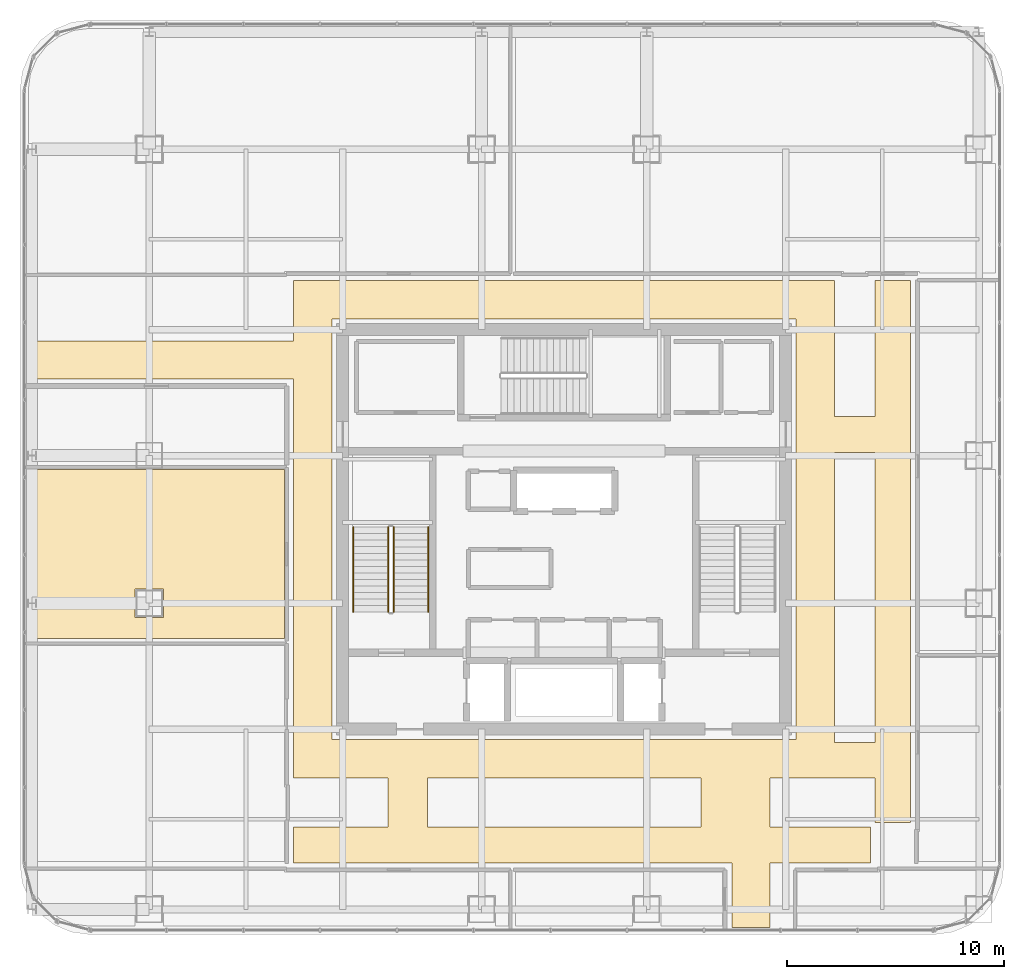
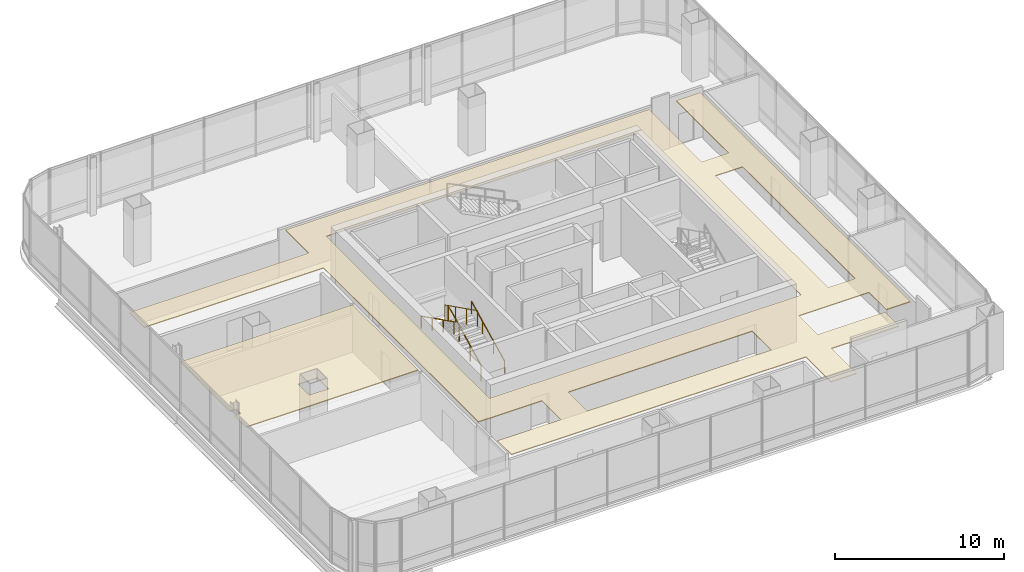
# One storey, part 38 of 41: 4 railings, 2 coverings.
"""IFC4 building model written with IfcOpenShell, lengths in metres."""

from ifc_helpers import new_model, si_unit, direction, frame, origin, origin_2d, place, context, subcontext, project, spatial, polyline, circle, outline, extrude, material, layer, layer_set, type_object, element, save


model = new_model("IFC4")

# Units and contexts
model_context = context("Model", 3, precision=1e-05, world=origin(), true_north=direction((0.0, 1.0)))
body_context = subcontext(model_context, "Body", "Model", "MODEL_VIEW")
ifc_project = project(units=[si_unit("LENGTHUNIT", "METRE"), si_unit("AREAUNIT", "SQUARE_METRE"), si_unit("VOLUMEUNIT", "CUBIC_METRE"), si_unit("PLANEANGLEUNIT", "RADIAN"), si_unit("MASSUNIT", "GRAM", prefix="KILO")], contexts=[model_context])

# Site, building, storey
site_placement = place(None, origin())
site = spatial("IfcSite", under=ifc_project, at=site_placement, CompositionType="ELEMENT")
building_placement = place(site_placement, origin())
building = spatial("IfcBuilding", under=site, at=building_placement, Name="Punatoya Terracotta Tower", CompositionType="ELEMENT")
storey_placement = place(building_placement, frame((0.0, 0.0, 309.0)))
storey = spatial("IfcBuildingStorey", under=building, at=storey_placement, Name="L73", CompositionType="ELEMENT", Elevation=309.0)

# Coverings
ifc_material_1 = material(Name="Acoustic Mineral Fibre Ceiling")
ifc_layer = layer(ifc_material_1, 0.06005859375)
ifc_layer_set = layer_set([ifc_layer], Name="Acoustic Mineral Fibre Ceiling")
covering_type = type_object("IfcCoveringType", Name="COV-CEIL-60", PredefinedType="CEILING", material=ifc_layer_set)
covering_1_placement = place(storey_placement, frame((0.0, 0.0, 3.389892578125)))
element("IfcCovering", 1, at=covering_1_placement, inside=storey, type_object=covering_type, Name="L73 Executive Circulation Corridor Acoustic Ceiling", PredefinedType="CEILING", context=body_context, shape_type="SweptSolid", body=[
    extrude(outline(polyline([(14.10009765625, -13.699951171875), (9.47998046875, -13.699951171875), (9.47998046875, -11.449951171875), (14.300048828125, -11.449951171875), (14.300048828125, -13.5), (15.949951171875, -13.5), (15.949951171875, 11.449951171875), (14.300048828125, 11.449951171875), (14.300048828125, 5.199951171875), (12.449951171875, 5.199951171875), (12.449951171875, 11.449951171875), (-12.449951171875, 11.449951171875), (-12.449951171875, 8.679931640625), (-24.72998046875, 8.679931640625), (-24.72998046875, 6.919921875), (-12.449951171875, 6.919921875), (-12.449951171875, -11.449951171875), (-8.10009765625, -11.449951171875), (-8.10009765625, -13.699951171875), (-12.449951171875, -13.699951171875), (-12.449951171875, -15.35009765625), (7.719970703125, -15.35009765625), (7.719970703125, -18.330078125), (9.47998046875, -18.330078125), (9.47998046875, -15.35009765625), (14.10009765625, -15.35009765625), (14.10009765625, -13.699951171875)]), holes=[polyline([(12.449951171875, 3.550048828125), (14.300048828125, 3.550048828125), (14.300048828125, -9.800048828125), (12.449951171875, -9.800048828125), (12.449951171875, 3.550048828125)]), polyline([(10.679931640625, 9.679931640625), (10.679931640625, -9.679931640625), (-10.679931640625, -9.679931640625), (-10.679931640625, 9.679931640625), (10.679931640625, 9.679931640625)]), polyline([(6.300048828125, -13.699951171875), (-6.300048828125, -13.699951171875), (-6.300048828125, -11.449951171875), (6.300048828125, -11.449951171875), (6.300048828125, -13.699951171875)])]), origin(), (0.0, 0.0, 1.0), 0.06005859375),
])
covering_2_placement = place(storey_placement, frame((0.0, 0.0, 3.389892578125)))
element("IfcCovering", 2, at=covering_2_placement, inside=storey, type_object=covering_type, Name="L73 Open-Plan Laboratory Staff Pantry Acoustic Ceiling", PredefinedType="CEILING", context=body_context, shape_type="SweptSolid", body=[
    extrude(outline(polyline([(-24.2470703125, -3.14208984375), (-24.2470703125, -3.657958984375), (-24.669921875, -3.657958984375), (-24.669921875, -5.030029296875), (-12.8701171875, -5.030029296875), (-12.8701171875, 2.75), (-24.669921875, 2.75), (-24.669921875, -3.14208984375), (-24.2470703125, -3.14208984375)]), holes=[polyline([(-18.449951171875, -4.050048828125), (-19.75, -4.050048828125), (-19.75, -2.75), (-18.449951171875, -2.75), (-18.449951171875, -4.050048828125)])]), origin(), (0.0, 0.0, 1.0), 0.06005859375),
])

# Railings
ifc_material_2 = material(Name="Steel S355", Category="steel")
railing_type_1 = type_object("IfcRailingType", Name="RLG-GRD-1150", PredefinedType="GUARDRAIL", material=ifc_material_2)
railing_1_placement = place(storey_placement, frame((-7.85009765625, -3.800048828125, 0.14990234375)))
element("IfcRailing", 3, at=railing_1_placement, inside=storey, type_object=railing_type_1, Name="L73 ST-1 stair guard 1", PredefinedType="GUARDRAIL", context=body_context, shape_type="SweptSolid", body=[
    extrude(circle(Radius=0.02392578125, at=origin_2d()), frame((0.0, 0.0, 1.1259765625), z_axis=(0.0, 0.894415993023, 0.447235990752), x_axis=(-1.0, 0.0, 0.0)), (0.0, 0.0, 1.0), 4.360595703125),
    extrude(circle(Radius=0.02099609375, at=origin_2d()), origin(), (0.0, 0.0, 1.0), 1.101806640625),
    extrude(circle(Radius=0.02099609375, at=origin_2d()), frame((0.0, 1.300048828125, 0.650146484375)), (0.0, 0.0, 1.0), 1.101806640625),
    extrude(circle(Radius=0.02099609375, at=origin_2d()), frame((0.0, 2.60009765625, 1.300048828125)), (0.0, 0.0, 1.0), 1.101806640625),
    extrude(circle(Radius=0.02099609375, at=origin_2d()), frame((0.0, 3.900146484375, 1.9501953125)), (0.0, 0.0, 1.0), 1.101806640625),
])
railing_2_placement = place(storey_placement, frame((-8.10009765625, 0.10009765625, 2.25)))
element("IfcRailing", 4, at=railing_2_placement, inside=storey, type_object=railing_type_1, Name="L73 ST-1 stair guard 3", PredefinedType="GUARDRAIL", context=body_context, shape_type="SweptSolid", body=[
    extrude(circle(Radius=0.02392578125, at=origin_2d()), frame((0.0, 0.0, 1.1259765625), z_axis=(0.0, -0.894438388696, 0.447191199406), x_axis=(1.0, 0.0, 0.0)), (0.0, 0.0, 1.0), 4.3603515625),
    extrude(circle(Radius=0.02099609375, at=origin_2d()), origin(), (0.0, 0.0, 1.0), 1.101806640625),
    extrude(circle(Radius=0.02099609375, at=origin_2d()), frame((0.0, -1.300048828125, 0.64990234375)), (0.0, 0.0, 1.0), 1.101806640625),
    extrude(circle(Radius=0.02099609375, at=origin_2d()), frame((0.0, -2.60009765625, 1.300048828125)), (0.0, 0.0, 1.0), 1.101806640625),
    extrude(circle(Radius=0.02099609375, at=origin_2d()), frame((0.0, -3.900146484375, 1.949951171875)), (0.0, 0.0, 1.0), 1.101806640625),
])
railing_type_2 = type_object("IfcRailingType", Name="RLG-HND-900", PredefinedType="HANDRAIL", material=ifc_material_2)
railing_3_placement = place(storey_placement, frame((-6.25, -3.800048828125, 0.14990234375)))
element("IfcRailing", 5, at=railing_3_placement, inside=storey, type_object=railing_type_2, Name="L73 ST-1 stair handrail 1", PredefinedType="HANDRAIL", context=body_context, shape_type="SweptSolid", body=[
    extrude(circle(Radius=0.02392578125, at=origin_2d()), frame((0.0, 0.0, 0.8759765625), z_axis=(0.0, 0.894415993023, 0.447235990752), x_axis=(-1.0, 0.0, 0.0)), (0.0, 0.0, 1.0), 4.360595703125),
    extrude(circle(Radius=0.02099609375, at=origin_2d()), origin(), (0.0, 0.0, 1.0), 0.851806640625),
    extrude(circle(Radius=0.02099609375, at=origin_2d()), frame((0.0, 1.300048828125, 0.650146484375)), (0.0, 0.0, 1.0), 0.851806640625),
    extrude(circle(Radius=0.02099609375, at=origin_2d()), frame((0.0, 2.60009765625, 1.300048828125)), (0.0, 0.0, 1.0), 0.851806640625),
    extrude(circle(Radius=0.02099609375, at=origin_2d()), frame((0.0, 3.900146484375, 1.9501953125)), (0.0, 0.0, 1.0), 0.851806640625),
])
railing_4_placement = place(storey_placement, frame((-9.699951171875, 0.10009765625, 2.25)))
element("IfcRailing", 6, at=railing_4_placement, inside=storey, type_object=railing_type_2, Name="L73 ST-1 stair handrail 2", PredefinedType="HANDRAIL", context=body_context, shape_type="SweptSolid", body=[
    extrude(circle(Radius=0.02392578125, at=origin_2d()), frame((0.0, 0.0, 0.8759765625), z_axis=(0.0, -0.894438388696, 0.447191199406), x_axis=(1.0, 0.0, 0.0)), (0.0, 0.0, 1.0), 4.3603515625),
    extrude(circle(Radius=0.02099609375, at=origin_2d()), origin(), (0.0, 0.0, 1.0), 0.851806640625),
    extrude(circle(Radius=0.02099609375, at=origin_2d()), frame((0.0, -1.300048828125, 0.64990234375)), (0.0, 0.0, 1.0), 0.851806640625),
    extrude(circle(Radius=0.02099609375, at=origin_2d()), frame((0.0, -2.60009765625, 1.300048828125)), (0.0, 0.0, 1.0), 0.851806640625),
    extrude(circle(Radius=0.02099609375, at=origin_2d()), frame((0.0, -3.900146484375, 1.949951171875)), (0.0, 0.0, 1.0), 0.851806640625),
])

save(model, "model.ifc")
